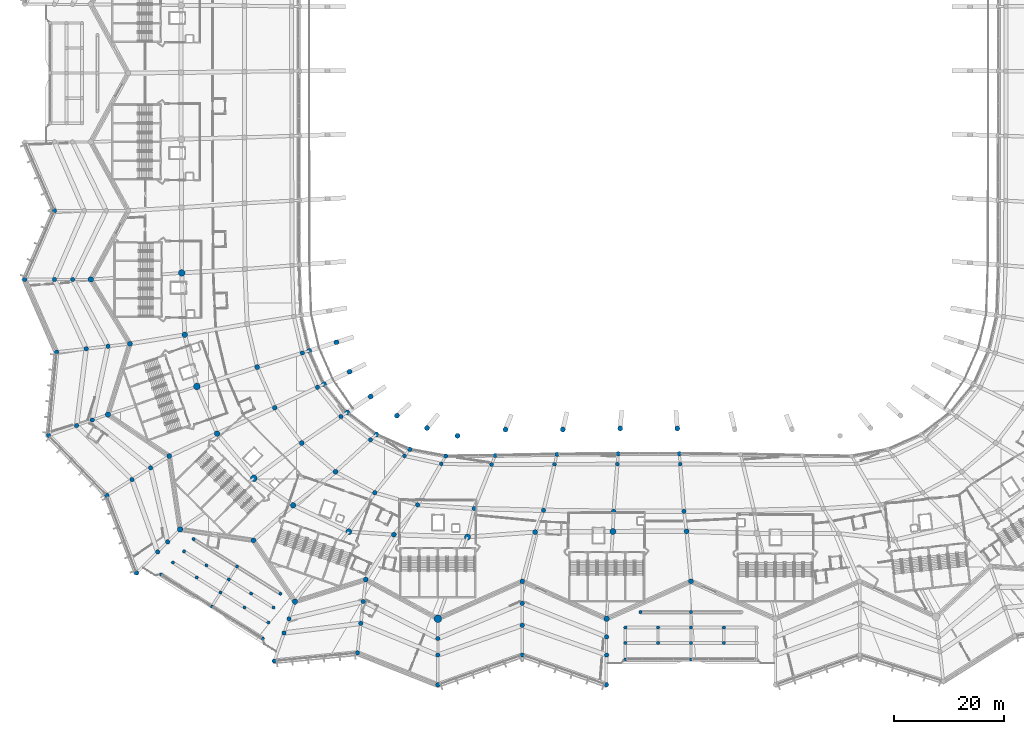
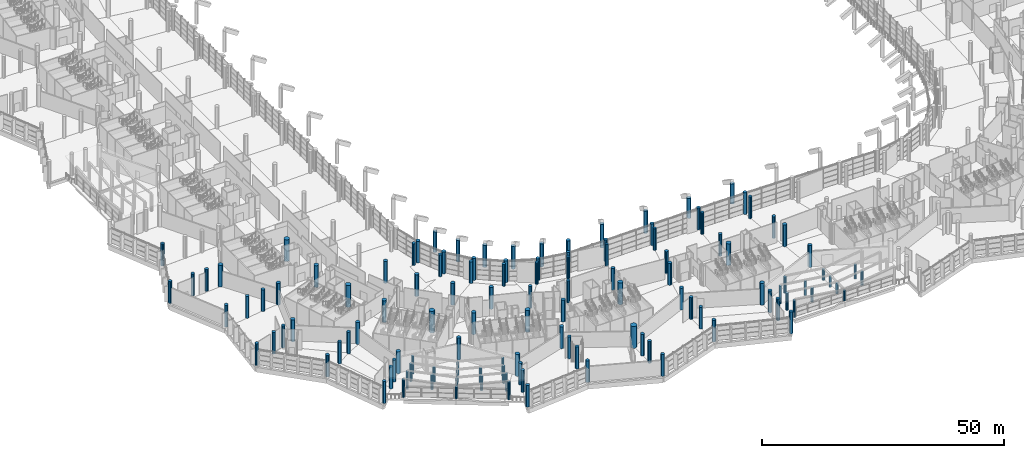
# One storey, part 1 of 271: 123 columns.
"""IFC4 building model written with IfcOpenShell, lengths in metres."""

import ifcopenshell
import ifcopenshell.guid

model = None  # the IFC model being written
_history = None  # IfcOwnerHistory: only IFC2X3 demands one
_inside = {}  # id of a spatial element -> (the spatial element, [elements in it])
_under = {}  # id of a project, library or spatial element -> (it, [spatial elements below it])
_declared = {}  # id of a project -> (the project, [libraries it declares])
_typed = {}  # id of a type object -> (the type object, [elements of that type])
_made_of = {}  # id of a material, layer set ... -> (it, [elements and type objects made of it])


def new_model(schema):
    """Start an empty IFC model of exactly this schema.

    Asked for "IFC4X3", IfcOpenShell would pick the latest addendum, in which some entities
    have other attributes; the version numbers below select the first issue.
    IFC2X3 requires an IfcOwnerHistory on every rooted entity: one is made here for all.
    """
    global model, _history
    if schema == "IFC4X3":
        model = ifcopenshell.file(schema_version=(4, 3, 0, 0))
    else:
        model = ifcopenshell.file(schema=schema)
    _inside.clear()
    _under.clear()
    _declared.clear()
    _typed.clear()
    _made_of.clear()
    _history = None
    if model.schema == "IFC2X3":
        org = make("IfcOrganization", Name="unknown")
        user = make(
            "IfcPersonAndOrganization",
            ThePerson=make("IfcPerson", FamilyName="unknown"),
            TheOrganization=org,
        )
        app = make(
            "IfcApplication",
            ApplicationDeveloper=org,
            Version="unknown",
            ApplicationFullName="unknown",
            ApplicationIdentifier="unknown",
        )
        _history = make(
            "IfcOwnerHistory",
            OwningUser=user,
            OwningApplication=app,
            ChangeAction="ADDED",
            CreationDate=0,
        )
    return model


def make(cls, **values):
    """One entity of the class cls with the attributes given. An attribute that is None is left unset."""
    return model.create_entity(
        cls, **{name: value for name, value in values.items() if value is not None}
    )


def rooted(cls, **values):
    """An entity with a GlobalId (a new one), such as an element, a storey or a relation."""
    return make(cls, GlobalId=ifcopenshell.guid.new(), OwnerHistory=_history, **values)


def si_unit(unit_type, name, prefix=None):
    """IfcSIUnit, for example si_unit("LENGTHUNIT", "METRE", prefix="MILLI")."""
    return make("IfcSIUnit", UnitType=unit_type, Prefix=prefix, Name=name)


def assignment(units):
    """IfcUnitAssignment: the units of a project."""
    return None if units is None else make("IfcUnitAssignment", Units=units)


def point(xyz):
    """IfcCartesianPoint."""
    return None if xyz is None else make("IfcCartesianPoint", Coordinates=xyz)


def direction(xyz):
    """IfcDirection."""
    return None if xyz is None else make("IfcDirection", DirectionRatios=xyz)


def frame(location, z_axis=None, x_axis=None):
    """IfcAxis2Placement3D, a coordinate frame: its origin and axes. An axis left out is left unset."""
    return make(
        "IfcAxis2Placement3D",
        Location=point(location),
        Axis=direction(z_axis),
        RefDirection=direction(x_axis),
    )


def frame_2d(location, x_axis=None):
    """IfcAxis2Placement2D, a coordinate frame in the plane: its origin and x axis."""
    return make(
        "IfcAxis2Placement2D", Location=point(location), RefDirection=direction(x_axis)
    )


def origin():
    """The frame at (0, 0, 0) with its axes left unset."""
    return frame((0.0, 0.0, 0.0))


def origin_2d():
    """The frame at (0, 0) in the plane with its x axis left unset."""
    return frame_2d((0.0, 0.0))


def place(relative_to, where):
    """IfcLocalPlacement: puts the frame where relative to a parent placement (None: the world)."""
    return make(
        "IfcLocalPlacement", PlacementRelTo=relative_to, RelativePlacement=where
    )


def context(
    kind, dimensions, precision=None, world=None, true_north=None, identifier=None
):
    """IfcGeometricRepresentationContext, for example the 3D "Model" context."""
    return make(
        "IfcGeometricRepresentationContext",
        ContextIdentifier=identifier,
        ContextType=kind,
        CoordinateSpaceDimension=dimensions,
        Precision=precision,
        WorldCoordinateSystem=world,
        TrueNorth=true_north,
    )


def subcontext(parent, identifier, kind, view, scale=None):
    """IfcGeometricRepresentationSubContext, for example "Body" below "Model"."""
    return make(
        "IfcGeometricRepresentationSubContext",
        ContextIdentifier=identifier,
        ContextType=kind,
        ParentContext=parent,
        TargetScale=scale,
        TargetView=view,
    )


def project(units=None, contexts=None):
    """IfcProject with its units and contexts."""
    return rooted(
        "IfcProject",
        Name="project",
        RepresentationContexts=contexts,
        UnitsInContext=assignment(units),
    )


def spatial(cls, under=None, at=None, **own):
    """A site, building, storey or space (cls), placed at a placement, below another one or the project."""
    s = rooted(cls, ObjectPlacement=at, **own)
    if under is not None:
        _under.setdefault(under.id(), (under, []))[1].append(s)
    return s


def profile(cls, at=None, kind="AREA", **sizes):
    """A parametric profile (cls). Its sizes go by their IFC names, for example OverallWidth=200.0."""
    return make(cls, ProfileType=kind, Position=at, **sizes)


def circle(**sizes):
    """IfcCircleProfileDef."""
    return profile("IfcCircleProfileDef", **sizes)


def extrude(swept, where, along, depth):
    """IfcExtrudedAreaSolid: the profile swept, set in the frame where, extruded along a direction by depth."""
    return make(
        "IfcExtrudedAreaSolid",
        SweptArea=swept,
        Position=where,
        ExtrudedDirection=direction(along),
        Depth=depth,
    )


def shape(context_of_items, identifier, shape_type, items):
    """IfcShapeRepresentation: the items that make up one representation, for example the "Body"."""
    return make(
        "IfcShapeRepresentation",
        ContextOfItems=context_of_items,
        RepresentationIdentifier=identifier,
        RepresentationType=shape_type,
        Items=items,
    )


def material(Name=None, Category=None):
    """IfcMaterial."""
    return make("IfcMaterial", Name=Name, Category=Category)


def material_profile(
    of_material, cross_section, Name=None, Category=None, Priority=None
):
    """IfcMaterialProfile: a cross section and its material."""
    return make(
        "IfcMaterialProfile",
        Name=Name,
        Material=of_material,
        Profile=cross_section,
        Priority=Priority,
        Category=Category,
    )


def profile_set(profiles, Name=None, composite=None):
    """IfcMaterialProfileSet."""
    return make(
        "IfcMaterialProfileSet",
        Name=Name,
        MaterialProfiles=profiles,
        CompositeProfile=composite,
    )


def made_of(thing, what):
    """Note that an element or type object is made of a material, layer set ...; save() writes the relation."""
    if what is not None:
        _made_of.setdefault(what.id(), (what, []))[1].append(thing)
    return thing


def type_object(cls, material=None, **own):
    """A type object (cls), such as IfcWallType, which elements share."""
    return made_of(rooted(cls, **own), material)


def element(
    cls,
    number,
    at=None,
    inside=None,
    cuts=None,
    type_object=None,
    material=None,
    context=None,
    identifier="Body",
    shape_type=None,
    held_by="IfcProductDefinitionShape",
    body=None,
    shapes=None,
    **own,
):
    """One element of the class cls, such as IfcWall. Its Tag is "e" and its number.

    at: its placement. inside: the storey or other place that contains it. cuts: it is an
    opening in that element (IfcRelVoidsElement). A single representation is given by context,
    identifier, shape_type and body (its items); several are given by shapes. held_by: the class
    of the entity that holds the representations. save() writes the other relations.
    """
    e = rooted(cls, Tag="e%d" % number, ObjectPlacement=at, **own)
    if body is not None:
        shapes = [shape(context, identifier, shape_type, body)]
    if shapes is not None:
        e.Representation = make(held_by, Representations=shapes)
    if inside is not None:
        _inside.setdefault(inside.id(), (inside, []))[1].append(e)
    if cuts is not None:
        rooted(
            "IfcRelVoidsElement", RelatingBuildingElement=cuts, RelatedOpeningElement=e
        )
    if type_object is not None:
        _typed.setdefault(type_object.id(), (type_object, []))[1].append(e)
    return made_of(e, material)


def aggregate(whole, parts):
    """IfcRelAggregates: a whole, such as a stair, and the parts it consists of."""
    return rooted("IfcRelAggregates", RelatingObject=whole, RelatedObjects=parts)


def save(model, path):
    """Write the relations noted so far, then the file.

    IfcRelAggregates (storeys below a building ...), IfcRelContainedInSpatialStructure (elements
    in a storey), IfcRelDefinesByType, IfcRelAssociatesMaterial and IfcRelDeclares: one each for
    every whole, place, type object, material and project.
    """
    for whole, parts in _under.values():
        aggregate(whole, parts)
    for where, things in _inside.values():
        rooted(
            "IfcRelContainedInSpatialStructure",
            RelatedElements=things,
            RelatingStructure=where,
        )
    for kind, things in _typed.values():
        rooted("IfcRelDefinesByType", RelatedObjects=things, RelatingType=kind)
    for what, things in _made_of.values():
        rooted("IfcRelAssociatesMaterial", RelatedObjects=things, RelatingMaterial=what)
    for by, libraries in _declared.values():
        rooted("IfcRelDeclares", RelatingContext=by, RelatedDefinitions=libraries)
    model.write(path)


model = new_model("IFC4")

# Units and contexts
model_context = context("Model", 3, precision=1e-05, world=origin(), true_north=direction((0.0, 1.0)))
body_context = subcontext(model_context, "Body", "Model", "MODEL_VIEW")
ifc_project = project(units=[si_unit("LENGTHUNIT", "METRE"), si_unit("AREAUNIT", "SQUARE_METRE"), si_unit("VOLUMEUNIT", "CUBIC_METRE"), si_unit("PLANEANGLEUNIT", "RADIAN"), si_unit("MASSUNIT", "GRAM", prefix="KILO")], contexts=[model_context])

# Site, building, storey
site_placement = place(None, origin())
site = spatial("IfcSite", under=ifc_project, at=site_placement, CompositionType="ELEMENT")
building_placement = place(site_placement, origin())
building = spatial("IfcBuilding", under=site, at=building_placement, Name="Meseta Stadium", CompositionType="ELEMENT")
storey_placement = place(building_placement, frame((0.0, 0.0, 6.5)))
storey = spatial("IfcBuildingStorey", under=building, at=storey_placement, Name="L01", CompositionType="ELEMENT", Elevation=6.5)

# Columns
ifc_material_1 = material(Name="Concrete C40/50", Category="concrete")
ifc_material_profile_1 = material_profile(ifc_material_1, circle(Radius=0.300048828125, at=origin_2d()), Name="RC D600")
ifc_profile_set_1 = profile_set([ifc_material_profile_1], Name="Concrete C40/50")
column_type_1 = type_object("IfcColumnType", Name="Gate column D600", PredefinedType="COLUMN", material=ifc_profile_set_1)
column_1_placement = place(storey_placement, frame((-82.719482421875, -90.93896484375, 0.0), z_axis=(0.0, 0.0, 1.0), x_axis=(1.0, 0.0, 0.0)))
element("IfcColumn", 1, at=column_1_placement, inside=storey, type_object=column_type_1, Name="Gate 6 column L01", PredefinedType="COLUMN", context=body_context, shape_type="SweptSolid", body=[
    extrude(circle(Radius=0.300048828125, at=origin_2d()), origin(), (0.0, 0.0, 1.0), 4.409912109375),
])
column_2_placement = place(storey_placement, frame((-74.836181640625, -95.892578125, 0.0), z_axis=(0.0, 0.0, 1.0), x_axis=(1.0, 0.0, 0.0)))
element("IfcColumn", 2, at=column_2_placement, inside=storey, type_object=column_type_1, Name="Gate 6 column L01", PredefinedType="COLUMN", context=body_context, shape_type="SweptSolid", body=[
    extrude(circle(Radius=0.300048828125, at=origin_2d()), origin(), (0.0, 0.0, 1.0), 3.106689453125),
])
column_3_placement = place(storey_placement, frame((-66.952880859375, -100.845947265625, 0.0), z_axis=(0.0, 0.0, 1.0), x_axis=(1.0, 0.0, 0.0)))
element("IfcColumn", 3, at=column_3_placement, inside=storey, type_object=column_type_1, Name="Gate 6 column L01", PredefinedType="COLUMN", context=body_context, shape_type="SweptSolid", body=[
    extrude(circle(Radius=0.300048828125, at=origin_2d()), origin(), (0.0, 0.0, 1.0), 4.409912109375),
])
column_4_placement = place(storey_placement, frame((-84.462646484375, -93.150390625, 0.0), z_axis=(0.0, 0.0, 1.0), x_axis=(1.0, 0.0, 0.0)))
element("IfcColumn", 4, at=column_4_placement, inside=storey, type_object=column_type_1, Name="Gate 6 column L01", PredefinedType="COLUMN", context=body_context, shape_type="SweptSolid", body=[
    extrude(circle(Radius=0.300048828125, at=origin_2d()), origin(), (0.0, 0.0, 1.0), 4.39599609375),
])
column_5_placement = place(storey_placement, frame((-80.394287109375, -95.706787109375, 0.0), z_axis=(0.0, 0.0, 1.0), x_axis=(1.0, 0.0, 0.0)))
element("IfcColumn", 5, at=column_5_placement, inside=storey, type_object=column_type_1, Name="Gate 6 column L01", PredefinedType="COLUMN", context=body_context, shape_type="SweptSolid", body=[
    extrude(circle(Radius=0.300048828125, at=origin_2d()), origin(), (0.0, 0.0, 1.0), 3.723388671875),
])
column_6_placement = place(storey_placement, frame((-76.32568359375, -98.26318359375, 0.0), z_axis=(0.0, 0.0, 1.0), x_axis=(1.0, 0.0, 0.0)))
element("IfcColumn", 6, at=column_6_placement, inside=storey, type_object=column_type_1, Name="Gate 6 column L01", PredefinedType="COLUMN", context=body_context, shape_type="SweptSolid", body=[
    extrude(circle(Radius=0.300048828125, at=origin_2d()), origin(), (0.0, 0.0, 1.0), 3.050537109375),
])
column_7_placement = place(storey_placement, frame((-72.25732421875, -100.819580078125, 0.0), z_axis=(0.0, 0.0, 1.0), x_axis=(1.0, 0.0, 0.0)))
element("IfcColumn", 7, at=column_7_placement, inside=storey, type_object=column_type_1, Name="Gate 6 column L01", PredefinedType="COLUMN", context=body_context, shape_type="SweptSolid", body=[
    extrude(circle(Radius=0.300048828125, at=origin_2d()), origin(), (0.0, 0.0, 1.0), 3.723388671875),
])
column_8_placement = place(storey_placement, frame((-68.18896484375, -103.3759765625, 0.0), z_axis=(0.0, 0.0, 1.0), x_axis=(1.0, 0.0, 0.0)))
element("IfcColumn", 8, at=column_8_placement, inside=storey, type_object=column_type_1, Name="Gate 6 column L01", PredefinedType="COLUMN", context=body_context, shape_type="SweptSolid", body=[
    extrude(circle(Radius=0.300048828125, at=origin_2d()), origin(), (0.0, 0.0, 1.0), 4.39599609375),
])
column_9_placement = place(storey_placement, frame((-86.49365234375, -95.181396484375, 0.0), z_axis=(0.0, 0.0, 1.0), x_axis=(1.0, 0.0, 0.0)))
element("IfcColumn", 9, at=column_9_placement, inside=storey, type_object=column_type_1, Name="Gate 6 column L01", PredefinedType="COLUMN", context=body_context, shape_type="SweptSolid", body=[
    extrude(circle(Radius=0.300048828125, at=origin_2d()), origin(), (0.0, 0.0, 1.0), 4.429443359375),
])
column_10_placement = place(storey_placement, frame((-82.154541015625, -97.90771484375, 0.0), z_axis=(0.0, 0.0, 1.0), x_axis=(1.0, 0.0, 0.0)))
element("IfcColumn", 10, at=column_10_placement, inside=storey, type_object=column_type_1, Name="Gate 6 column L01", PredefinedType="COLUMN", context=body_context, shape_type="SweptSolid", body=[
    extrude(circle(Radius=0.300048828125, at=origin_2d()), origin(), (0.0, 0.0, 1.0), 3.7119140625),
])
column_11_placement = place(storey_placement, frame((-77.8154296875, -100.634033203125, 0.0), z_axis=(0.0, 0.0, 1.0), x_axis=(1.0, 0.0, 0.0)))
element("IfcColumn", 11, at=column_11_placement, inside=storey, type_object=column_type_1, Name="Gate 6 column L01", PredefinedType="COLUMN", context=body_context, shape_type="SweptSolid", body=[
    extrude(circle(Radius=0.300048828125, at=origin_2d()), origin(), (0.0, 0.0, 1.0), 2.99462890625),
])
column_12_placement = place(storey_placement, frame((-73.4765625, -103.360595703125, 0.0), z_axis=(0.0, 0.0, 1.0), x_axis=(1.0, 0.0, 0.0)))
element("IfcColumn", 12, at=column_12_placement, inside=storey, type_object=column_type_1, Name="Gate 6 column L01", PredefinedType="COLUMN", context=body_context, shape_type="SweptSolid", body=[
    extrude(circle(Radius=0.300048828125, at=origin_2d()), origin(), (0.0, 0.0, 1.0), 3.7119140625),
])
column_13_placement = place(storey_placement, frame((-69.137451171875, -106.0869140625, 0.0), z_axis=(0.0, 0.0, 1.0), x_axis=(1.0, 0.0, 0.0)))
element("IfcColumn", 13, at=column_13_placement, inside=storey, type_object=column_type_1, Name="Gate 6 column L01", PredefinedType="COLUMN", context=body_context, shape_type="SweptSolid", body=[
    extrude(circle(Radius=0.300048828125, at=origin_2d()), origin(), (0.0, 0.0, 1.0), 4.429443359375),
])
column_14_placement = place(storey_placement, frame((-88.66943359375, -97.357177734375, 0.0), z_axis=(0.0, 0.0, 1.0), x_axis=(1.0, 0.0, 0.0)))
element("IfcColumn", 14, at=column_14_placement, inside=storey, type_object=column_type_1, Name="Gate 6 column L01", PredefinedType="COLUMN", context=body_context, shape_type="SweptSolid", body=[
    extrude(circle(Radius=0.300048828125, at=origin_2d()), origin(), (0.0, 0.0, 1.0), 4.46533203125),
])
column_15_placement = place(storey_placement, frame((-79.41162109375, -103.17431640625, 0.0), z_axis=(0.0, 0.0, 1.0), x_axis=(1.0, 0.0, 0.0)))
element("IfcColumn", 15, at=column_15_placement, inside=storey, type_object=column_type_1, Name="Gate 6 column L01", PredefinedType="COLUMN", context=body_context, shape_type="SweptSolid", body=[
    extrude(circle(Radius=0.300048828125, at=origin_2d()), origin(), (0.0, 0.0, 1.0), 2.9345703125),
])
column_16_placement = place(storey_placement, frame((-70.15380859375, -108.991455078125, 0.0), z_axis=(0.0, 0.0, 1.0), x_axis=(1.0, 0.0, 0.0)))
element("IfcColumn", 16, at=column_16_placement, inside=storey, type_object=column_type_1, Name="Gate 6 column L01", PredefinedType="COLUMN", context=body_context, shape_type="SweptSolid", body=[
    extrude(circle(Radius=0.300048828125, at=origin_2d()), origin(), (0.0, 0.0, 1.0), 4.46533203125),
])
column_17_placement = place(storey_placement, frame((-1.516845703125, -104.199951171875, 0.0), z_axis=(0.0, 0.0, 1.0), x_axis=(1.0, 0.0, 0.0)))
element("IfcColumn", 17, at=column_17_placement, inside=storey, type_object=column_type_1, Name="Gate 7 column L01", PredefinedType="COLUMN", context=body_context, shape_type="SweptSolid", body=[
    extrude(circle(Radius=0.300048828125, at=origin_2d()), origin(), (0.0, 0.0, 1.0), 4.06689453125),
])
column_18_placement = place(storey_placement, frame((7.666748046875, -104.199951171875, 0.0), z_axis=(0.0, 0.0, 1.0), x_axis=(1.0, 0.0, 0.0)))
element("IfcColumn", 18, at=column_18_placement, inside=storey, type_object=column_type_1, Name="Gate 7 column L01", PredefinedType="COLUMN", context=body_context, shape_type="SweptSolid", body=[
    extrude(circle(Radius=0.300048828125, at=origin_2d()), origin(), (0.0, 0.0, 1.0), 2.78125),
])
column_19_placement = place(storey_placement, frame((-4.2666015625, -107.0, 0.0), z_axis=(0.0, 0.0, 1.0), x_axis=(1.0, 0.0, 0.0)))
element("IfcColumn", 19, at=column_19_placement, inside=storey, type_object=column_type_1, Name="Gate 7 column L01", PredefinedType="COLUMN", context=body_context, shape_type="SweptSolid", body=[
    extrude(circle(Radius=0.300048828125, at=origin_2d()), origin(), (0.0, 0.0, 1.0), 4.39599609375),
])
column_20_placement = place(storey_placement, frame((1.699951171875, -107.0, 0.0), z_axis=(0.0, 0.0, 1.0), x_axis=(1.0, 0.0, 0.0)))
element("IfcColumn", 20, at=column_20_placement, inside=storey, type_object=column_type_1, Name="Gate 7 column L01", PredefinedType="COLUMN", context=body_context, shape_type="SweptSolid", body=[
    extrude(circle(Radius=0.300048828125, at=origin_2d()), origin(), (0.0, 0.0, 1.0), 3.560791015625),
])
column_21_placement = place(storey_placement, frame((7.666748046875, -107.0, 0.0), z_axis=(0.0, 0.0, 1.0), x_axis=(1.0, 0.0, 0.0)))
element("IfcColumn", 21, at=column_21_placement, inside=storey, type_object=column_type_1, Name="Gate 7 column L01", PredefinedType="COLUMN", context=body_context, shape_type="SweptSolid", body=[
    extrude(circle(Radius=0.300048828125, at=origin_2d()), origin(), (0.0, 0.0, 1.0), 2.725341796875),
])
column_22_placement = place(storey_placement, frame((13.63330078125, -107.0, 0.0), z_axis=(0.0, 0.0, 1.0), x_axis=(1.0, 0.0, 0.0)))
element("IfcColumn", 22, at=column_22_placement, inside=storey, type_object=column_type_1, Name="Gate 7 column L01", PredefinedType="COLUMN", context=body_context, shape_type="SweptSolid", body=[
    extrude(circle(Radius=0.300048828125, at=origin_2d()), origin(), (0.0, 0.0, 1.0), 3.560791015625),
])
column_23_placement = place(storey_placement, frame((-4.2666015625, -109.800048828125, 0.0), z_axis=(0.0, 0.0, 1.0), x_axis=(1.0, 0.0, 0.0)))
element("IfcColumn", 23, at=column_23_placement, inside=storey, type_object=column_type_1, Name="Gate 7 column L01", PredefinedType="COLUMN", context=body_context, shape_type="SweptSolid", body=[
    extrude(circle(Radius=0.300048828125, at=origin_2d()), origin(), (0.0, 0.0, 1.0), 4.340087890625),
])
column_24_placement = place(storey_placement, frame((1.699951171875, -109.800048828125, 0.0), z_axis=(0.0, 0.0, 1.0), x_axis=(1.0, 0.0, 0.0)))
element("IfcColumn", 24, at=column_24_placement, inside=storey, type_object=column_type_1, Name="Gate 7 column L01", PredefinedType="COLUMN", context=body_context, shape_type="SweptSolid", body=[
    extrude(circle(Radius=0.300048828125, at=origin_2d()), origin(), (0.0, 0.0, 1.0), 3.504638671875),
])
column_25_placement = place(storey_placement, frame((7.666748046875, -109.800048828125, 0.0), z_axis=(0.0, 0.0, 1.0), x_axis=(1.0, 0.0, 0.0)))
element("IfcColumn", 25, at=column_25_placement, inside=storey, type_object=column_type_1, Name="Gate 7 column L01", PredefinedType="COLUMN", context=body_context, shape_type="SweptSolid", body=[
    extrude(circle(Radius=0.300048828125, at=origin_2d()), origin(), (0.0, 0.0, 1.0), 2.669189453125),
])
column_26_placement = place(storey_placement, frame((13.63330078125, -109.800048828125, 0.0), z_axis=(0.0, 0.0, 1.0), x_axis=(1.0, 0.0, 0.0)))
element("IfcColumn", 26, at=column_26_placement, inside=storey, type_object=column_type_1, Name="Gate 7 column L01", PredefinedType="COLUMN", context=body_context, shape_type="SweptSolid", body=[
    extrude(circle(Radius=0.300048828125, at=origin_2d()), origin(), (0.0, 0.0, 1.0), 3.504638671875),
])
column_27_placement = place(storey_placement, frame((-4.2666015625, -112.800048828125, 0.0), z_axis=(0.0, 0.0, 1.0), x_axis=(1.0, 0.0, 0.0)))
element("IfcColumn", 27, at=column_27_placement, inside=storey, type_object=column_type_1, Name="Gate 7 column L01", PredefinedType="COLUMN", context=body_context, shape_type="SweptSolid", body=[
    extrude(circle(Radius=0.300048828125, at=origin_2d()), origin(), (0.0, 0.0, 1.0), 4.280029296875),
])
column_28_placement = place(storey_placement, frame((7.666748046875, -112.800048828125, 0.0), z_axis=(0.0, 0.0, 1.0), x_axis=(1.0, 0.0, 0.0)))
element("IfcColumn", 28, at=column_28_placement, inside=storey, type_object=column_type_1, Name="Gate 7 column L01", PredefinedType="COLUMN", context=body_context, shape_type="SweptSolid", body=[
    extrude(circle(Radius=0.300048828125, at=origin_2d()), origin(), (0.0, 0.0, 1.0), 2.609375),
])
ifc_material_2 = material(Name="Concrete C40/50", Category="concrete")
ifc_material_profile_2 = material_profile(ifc_material_2, circle(Radius=0.5, at=origin_2d()), Name="RC D1000")
ifc_profile_set_2 = profile_set([ifc_material_profile_2], Name="Concrete C40/50")
column_type_2 = type_object("IfcColumnType", Name="RC column D1000", PredefinedType="COLUMN", material=ifc_profile_set_2)
for number, where, z_axis, x_axis, name in (
    (29, (-101.39990234375, -43.75, 0.0), (0.0, 0.0, 1.0), (1.0, 0.0, 0.0), "Column C10 L01 frame 36 line R"),
    (30, (-84.3251953125, -53.801513671875, 0.0), (0.0, 0.0, 1.0), (1.0, 0.0, 0.0), "Column C10 L01 frame 37 line P"),
    (31, (-98.291015625, -68.29736328125, 0.0), (0.0, 0.0, 1.0), (1.0, 0.0, 0.0), "Column C10 L01 frame 38 line R"),
    (32, (-78.4453125, -71.756103515625, 0.0), (0.0, 0.0, 1.0), (1.0, 0.0, 0.0), "Column C10 L01 frame 39 line P"),
    (33, (-85.173828125, -89.173828125, 0.0), (0.0, 0.0, 1.0), (1.0, 0.0, 0.0), "Column C10 L01 frame 40 line R"),
    (34, (-64.6220703125, -84.79248046875, 0.0), (0.0, 0.0, 1.0), (1.0, 0.0, 0.0), "Column C10 L01 frame 41 line P"),
    (35, (-64.29736328125, -102.291015625, 0.0), (0.0, 0.0, 1.0), (1.0, 0.0, 0.0), "Column C10 L01 frame 42 line R"),
    (36, (-7.666748046875, -105.39990234375, 0.0), (0.0, 0.0, 1.0), (1.0, 0.0, 0.0), "Column C10 L01 frame 46 line R"),
):
    element("IfcColumn", number, at=place(storey_placement, frame(where, z_axis=z_axis, x_axis=x_axis)), inside=storey, type_object=column_type_2, Name=name, PredefinedType="COLUMN", context=body_context, shape_type="SweptSolid", body=[
        extrude(circle(Radius=0.5, at=origin_2d()), origin(), (0.0, 0.0, 1.0), 5.5),
    ])
ifc_material_3 = material(Name="Concrete C40/50", Category="concrete")
ifc_material_profile_3 = material_profile(ifc_material_3, circle(Radius=0.550048828125, at=origin_2d()), Name="RC D1100")
ifc_profile_set_3 = profile_set([ifc_material_profile_3], Name="Concrete C40/50")
column_type_3 = type_object("IfcColumnType", Name="RC column D1100", PredefinedType="COLUMN", material=ifc_profile_set_3)
for number, where, z_axis, x_axis, name in (
    (37, (-54.523193359375, -89.579345703125, 0.0), (0.0, 0.0, 1.0), (1.0, 0.0, 0.0), "Column C11 L01 frame 42 line P"),
    (38, (-32.944091796875, -90.551025390625, 0.0), (0.0, 0.0, 1.0), (1.0, 0.0, 0.0), "Column C11 L01 frame 44 line P"),
    (39, (-6.51708984375, -89.54638671875, 0.0), (0.0, 0.0, 1.0), (1.0, 0.0, 0.0), "Column C11 L01 frame 46 line P"),
):
    element("IfcColumn", number, at=place(storey_placement, frame(where, z_axis=z_axis, x_axis=x_axis)), inside=storey, type_object=column_type_3, Name=name, PredefinedType="COLUMN", context=body_context, shape_type="SweptSolid", body=[
        extrude(circle(Radius=0.550048828125, at=origin_2d()), origin(), (0.0, 0.0, 1.0), 5.5),
    ])
ifc_material_4 = material(Name="Concrete C40/50", Category="concrete")
ifc_material_profile_4 = material_profile(ifc_material_4, circle(Radius=0.60009765625, at=origin_2d()), Name="RC D1200")
ifc_profile_set_4 = profile_set([ifc_material_profile_4], Name="Concrete C40/50")
column_type_4 = type_object("IfcColumnType", Name="RC column D1200", PredefinedType="COLUMN", material=ifc_profile_set_4)
for number, where, z_axis, x_axis, name in (
    (40, (-84.884033203125, -42.5615234375, 0.0), (0.0, 0.0, 1.0), (1.0, 0.0, 0.0), "Column C12 L01 frame 36 line P"),
    (41, (-82.119873046875, -63.191162109375, 0.0), (0.0, 0.0, 1.0), (1.0, 0.0, 0.0), "Column C12 L01 frame 38 line P"),
    (42, (-71.775390625, -79.888916015625, 0.0), (0.0, 0.0, 1.0), (1.0, 0.0, 0.0), "Column C12 L01 frame 40 line P"),
):
    element("IfcColumn", number, at=place(storey_placement, frame(where, z_axis=z_axis, x_axis=x_axis)), inside=storey, type_object=column_type_4, Name=name, PredefinedType="COLUMN", context=body_context, shape_type="SweptSolid", body=[
        extrude(circle(Radius=0.60009765625, at=origin_2d()), origin(), (0.0, 0.0, 1.0), 5.5),
    ])
ifc_material_5 = material(Name="Concrete C40/50", Category="concrete")
ifc_material_profile_5 = material_profile(ifc_material_5, circle(Radius=0.699951171875, at=origin_2d()), Name="RC D1400")
ifc_profile_set_5 = profile_set([ifc_material_profile_5], Name="Concrete C40/50")
column_type_5 = type_object("IfcColumnType", Name="RC column D1400", PredefinedType="COLUMN", material=ifc_profile_set_5)
column_29_placement = place(storey_placement, frame((-38.333251953125, -105.39990234375, 0.0), z_axis=(0.0, 0.0, 1.0), x_axis=(1.0, 0.0, 0.0)))
element("IfcColumn", 43, at=column_29_placement, inside=storey, type_object=column_type_5, Name="Column C14 L01 frame 44 line R", PredefinedType="COLUMN", context=body_context, shape_type="SweptSolid", body=[
    extrude(circle(Radius=0.699951171875, at=origin_2d()), origin(), (0.0, 0.0, 1.0), 5.5),
])
ifc_material_6 = material(Name="Concrete C40/50", Category="concrete")
ifc_material_profile_6 = material_profile(ifc_material_6, circle(Radius=0.35009765625, at=origin_2d()), Name="RC D700")
ifc_profile_set_6 = profile_set([ifc_material_profile_6], Name="Concrete C40/50")
column_type_6 = type_object("IfcColumnType", Name="RC column D700", PredefinedType="COLUMN", material=ifc_profile_set_6)
for number, where, z_axis, x_axis, name in (
    (44, (-44.39013671875, -75.806396484375, 0.0), (0.0, 0.0, 1.0), (1.0, 0.0, 0.0), "Column C7 L01 frame 42 line D"),
    (45, (-37.711669921875, -77.26171875, 0.0), (0.0, 0.0, 1.0), (1.0, 0.0, 0.0), "Column C7 L01 frame 43 line D"),
    (46, (-28.564697265625, -77.38330078125, 0.0), (0.0, 0.0, 1.0), (1.0, 0.0, 0.0), "Column C7 L01 frame 44 line D"),
    (47, (-17.126708984375, -77.33203125, 0.0), (0.0, 0.0, 1.0), (1.0, 0.0, 0.0), "Column C7 L01 frame 45 line D"),
    (48, (-5.70654296875, -77.3037109375, 0.0), (0.0, 0.0, 1.0), (1.0, 0.0, 0.0), "Column C7 L01 frame 46 line D"),
    (49, (5.70654296875, -77.3037109375, 0.0), (0.0, 0.0, 1.0), (1.0, 0.0, 0.0), "Column C7 L01 frame 47 line D"),
):
    element("IfcColumn", number, at=place(storey_placement, frame(where, z_axis=z_axis, x_axis=x_axis)), inside=storey, type_object=column_type_6, Name=name, PredefinedType="COLUMN", context=body_context, shape_type="SweptSolid", body=[
        extrude(circle(Radius=0.35009765625, at=origin_2d()), origin(), (0.0, 0.0, 1.0), 5.5),
    ])
ifc_material_7 = material(Name="Concrete C40/50", Category="concrete")
ifc_material_profile_7 = material_profile(ifc_material_7, circle(Radius=0.39990234375, at=origin_2d()), Name="RC D800")
ifc_profile_set_7 = profile_set([ifc_material_profile_7], Name="Concrete C40/50")
column_type_7 = type_object("IfcColumnType", Name="RC column D800", PredefinedType="COLUMN", material=ifc_profile_set_7)
for number, where, z_axis, x_axis, name in (
    (50, (-62.963623046875, -57.1044921875, 0.0), (0.0, 0.0, 1.0), (1.0, 0.0, 0.0), "Column C8 L01 frame 38 line D"),
    (51, (-60.22216796875, -63.33056640625, 0.0), (0.0, 0.0, 1.0), (1.0, 0.0, 0.0), "Column C8 L01 frame 39 line D"),
    (52, (-55.940185546875, -68.657958984375, 0.0), (0.0, 0.0, 1.0), (1.0, 0.0, 0.0), "Column C8 L01 frame 40 line D"),
    (53, (-50.571533203125, -72.888671875, 0.0), (0.0, 0.0, 1.0), (1.0, 0.0, 0.0), "Column C8 L01 frame 41 line D"),
    (54, (-43.430419921875, -74.617431640625, 0.0), (0.0, 0.0, 1.0), (1.0, 0.0, 0.0), "Column C8 L01 frame 42 line C"),
    (55, (-49.791259765625, -82.498779296875, 0.0), (0.0, 0.0, 1.0), (1.0, 0.0, 0.0), "Column C8 L01 frame 42 line E"),
    (56, (-36.8857421875, -75.8330078125, 0.0), (0.0, 0.0, 1.0), (1.0, 0.0, 0.0), "Column C8 L01 frame 43 line C"),
    (57, (-42.015625, -84.707275390625, 0.0), (0.0, 0.0, 1.0), (1.0, 0.0, 0.0), "Column C8 L01 frame 43 line E"),
    (58, (-27.910888671875, -75.735595703125, 0.0), (0.0, 0.0, 1.0), (1.0, 0.0, 0.0), "Column C8 L01 frame 44 line C"),
    (59, (-31.73681640625, -85.376708984375, 0.0), (0.0, 0.0, 1.0), (1.0, 0.0, 0.0), "Column C8 L01 frame 44 line E"),
    (60, (-16.697509765625, -75.529541015625, 0.0), (0.0, 0.0, 1.0), (1.0, 0.0, 0.0), "Column C8 L01 frame 45 line C"),
    (61, (-19.11865234375, -85.6982421875, 0.0), (0.0, 0.0, 1.0), (1.0, 0.0, 0.0), "Column C8 L01 frame 45 line E"),
    (62, (-5.556640625, -75.4150390625, 0.0), (0.0, 0.0, 1.0), (1.0, 0.0, 0.0), "Column C8 L01 frame 46 line C"),
    (63, (-6.386962890625, -85.876708984375, 0.0), (0.0, 0.0, 1.0), (1.0, 0.0, 0.0), "Column C8 L01 frame 46 line E"),
    (64, (5.556640625, -75.4150390625, 0.0), (0.0, 0.0, 1.0), (1.0, 0.0, 0.0), "Column C8 L01 frame 47 line C"),
    (65, (6.386962890625, -85.876708984375, 0.0), (0.0, 0.0, 1.0), (1.0, 0.0, 0.0), "Column C8 L01 frame 47 line E"),
    (66, (-108.0, -31.25, 0.0), (0.0, 0.0, 1.0), (1.0, 0.0, 0.0), "Ring column C8 L01 frame 35 line O"),
    (67, (-104.699951171875, -43.75, 0.0), (0.0, 0.0, 1.0), (1.0, 0.0, 0.0), "Ring column C8 L01 frame 36 line M"),
    (68, (-108.0, -43.75, 0.0), (0.0, 0.0, 1.0), (1.0, 0.0, 0.0), "Ring column C8 L01 frame 36 line Q"),
    (69, (-113.39990234375, -43.75, 0.0), (0.0, 0.0, 1.0), (1.0, 0.0, 0.0), "Ring column C8 L01 frame 36 line O"),
    (70, (-98.269287109375, -55.889404296875, 0.0), (0.0, 0.0, 1.0), (1.0, 0.0, 0.0), "Ring column C8 L01 frame 37 line M"),
    (71, (-102.244140625, -56.337158203125, 0.0), (0.0, 0.0, 1.0), (1.0, 0.0, 0.0), "Ring column C8 L01 frame 37 line Q"),
    (72, (-107.610107421875, -56.94189453125, 0.0), (0.0, 0.0, 1.0), (1.0, 0.0, 0.0), "Ring column C8 L01 frame 37 line O"),
    (73, (-101.140380859375, -69.29443359375, 0.0), (0.0, 0.0, 1.0), (1.0, 0.0, 0.0), "Ring column C8 L01 frame 38 line M"),
    (74, (-103.989990234375, -70.29150390625, 0.0), (0.0, 0.0, 1.0), (1.0, 0.0, 0.0), "Ring column C8 L01 frame 38 line Q"),
    (75, (-109.0869140625, -72.0751953125, 0.0), (0.0, 0.0, 1.0), (1.0, 0.0, 0.0), "Ring column C8 L01 frame 38 line O"),
    (76, (-90.53759765625, -77.98486328125, 0.0), (0.0, 0.0, 1.0), (1.0, 0.0, 0.0), "Ring column C8 L01 frame 39 line M"),
    (77, (-93.924560546875, -80.113037109375, 0.0), (0.0, 0.0, 1.0), (1.0, 0.0, 0.0), "Ring column C8 L01 frame 39 line Q"),
    (78, (-98.496826171875, -82.986083984375, 0.0), (0.0, 0.0, 1.0), (1.0, 0.0, 0.0), "Ring column C8 L01 frame 39 line O"),
    (79, (-87.426513671875, -91.426513671875, 0.0), (0.0, 0.0, 1.0), (1.0, 0.0, 0.0), "Ring column C8 L01 frame 40 line M"),
    (80, (-89.2548828125, -93.2548828125, 0.0), (0.0, 0.0, 1.0), (1.0, 0.0, 0.0), "Ring column C8 L01 frame 40 line Q"),
    (81, (-93.0732421875, -97.0732421875, 0.0), (0.0, 0.0, 1.0), (1.0, 0.0, 0.0), "Ring column C8 L01 frame 40 line O"),
    (82, (-65.3935546875, -105.423583984375, 0.0), (0.0, 0.0, 1.0), (1.0, 0.0, 0.0), "Ring column C8 L01 frame 42 line M"),
    (83, (-66.29150390625, -107.989990234375, 0.0), (0.0, 0.0, 1.0), (1.0, 0.0, 0.0), "Ring column C8 L01 frame 42 line Q"),
    (84, (-68.0751953125, -113.0869140625, 0.0), (0.0, 0.0, 1.0), (1.0, 0.0, 0.0), "Ring column C8 L01 frame 42 line O"),
    (85, (-51.889404296875, -102.269287109375, 0.0), (0.0, 0.0, 1.0), (1.0, 0.0, 0.0), "Ring column C8 L01 frame 43 line M"),
    (86, (-52.337158203125, -106.244140625, 0.0), (0.0, 0.0, 1.0), (1.0, 0.0, 0.0), "Ring column C8 L01 frame 43 line Q"),
    (87, (-52.94189453125, -111.610107421875, 0.0), (0.0, 0.0, 1.0), (1.0, 0.0, 0.0), "Ring column C8 L01 frame 43 line O"),
    (88, (-38.333251953125, -109.0, 0.0), (0.0, 0.0, 1.0), (1.0, 0.0, 0.0), "Ring column C8 L01 frame 44 line M"),
    (89, (-38.333251953125, -112.0, 0.0), (0.0, 0.0, 1.0), (1.0, 0.0, 0.0), "Ring column C8 L01 frame 44 line Q"),
    (90, (-38.333251953125, -117.39990234375, 0.0), (0.0, 0.0, 1.0), (1.0, 0.0, 0.0), "Ring column C8 L01 frame 44 line O"),
    (91, (-23.0, -102.60009765625, 0.0), (0.0, 0.0, 1.0), (1.0, 0.0, 0.0), "Ring column C8 L01 frame 45 line M"),
    (92, (-23.0, -106.60009765625, 0.0), (0.0, 0.0, 1.0), (1.0, 0.0, 0.0), "Ring column C8 L01 frame 45 line Q"),
    (93, (-23.0, -112.0, 0.0), (0.0, 0.0, 1.0), (1.0, 0.0, 0.0), "Ring column C8 L01 frame 45 line O"),
    (94, (-7.666748046875, -108.699951171875, 0.0), (0.0, 0.0, 1.0), (1.0, 0.0, 0.0), "Ring column C8 L01 frame 46 line M"),
    (95, (-7.666748046875, -112.0, 0.0), (0.0, 0.0, 1.0), (1.0, 0.0, 0.0), "Ring column C8 L01 frame 46 line Q"),
    (96, (-7.666748046875, -117.39990234375, 0.0), (0.0, 0.0, 1.0), (1.0, 0.0, 0.0), "Ring column C8 L01 frame 46 line O"),
):
    element("IfcColumn", number, at=place(storey_placement, frame(where, z_axis=z_axis, x_axis=x_axis)), inside=storey, type_object=column_type_7, Name=name, PredefinedType="COLUMN", context=body_context, shape_type="SweptSolid", body=[
        extrude(circle(Radius=0.39990234375, at=origin_2d()), origin(), (0.0, 0.0, 1.0), 5.5),
    ])
ifc_material_8 = material(Name="Concrete C40/50", Category="concrete")
ifc_material_profile_8 = material_profile(ifc_material_8, circle(Radius=0.449951171875, at=origin_2d()), Name="RC D900")
ifc_profile_set_8 = profile_set([ifc_material_profile_8], Name="Concrete C40/50")
column_type_8 = type_object("IfcColumnType", Name="RC column D900", PredefinedType="COLUMN", material=ifc_profile_set_8)
column_30_placement = place(storey_placement, frame((-94.29443359375, -55.44140625, 0.0), z_axis=(0.0, 0.0, 1.0), x_axis=(1.0, 0.0, 0.0)))
element("IfcColumn", 97, at=column_30_placement, inside=storey, type_object=column_type_8, Name="Column C9 L01 frame 37 line R", PredefinedType="COLUMN", context=body_context, shape_type="SweptSolid", body=[
    extrude(circle(Radius=0.449951171875, at=origin_2d()), origin(), (0.0, 0.0, 1.0), 5.5),
])
column_31_placement = place(storey_placement, frame((-56.76123046875, -55.15966796875, 0.0), z_axis=(0.0, 0.0, 1.0), x_axis=(1.0, 0.0, 0.0)))
element("IfcColumn", 98, at=column_31_placement, inside=storey, type_object=column_type_8, Name="Column C9 L01 frame 38 line U", PredefinedType="COLUMN", context=body_context, shape_type="SweptSolid", body=[
    extrude(circle(Radius=0.449951171875, at=origin_2d()), origin(), (0.0, 0.0, 1.0), 5.1357421875),
])
for number, where, z_axis, x_axis, name in (
    (99, (-61.72314453125, -56.715576171875, 0.0), (0.0, 0.0, 1.0), (1.0, 0.0, 0.0), "Column C9 L01 frame 38 line C"),
    (100, (-71.169677734375, -59.67724609375, 0.0), (0.0, 0.0, 1.0), (1.0, 0.0, 0.0), "Column C9 L01 frame 38 line E"),
):
    element("IfcColumn", number, at=place(storey_placement, frame(where, z_axis=z_axis, x_axis=x_axis)), inside=storey, type_object=column_type_8, Name=name, PredefinedType="COLUMN", context=body_context, shape_type="SweptSolid", body=[
        extrude(circle(Radius=0.449951171875, at=origin_2d()), origin(), (0.0, 0.0, 1.0), 5.5),
    ])
column_32_placement = place(storey_placement, frame((-54.3642578125, -60.513427734375, 0.0), z_axis=(0.0, 0.0, 1.0), x_axis=(1.0, 0.0, 0.0)))
element("IfcColumn", 101, at=column_32_placement, inside=storey, type_object=column_type_8, Name="Column C9 L01 frame 39 line U", PredefinedType="COLUMN", context=body_context, shape_type="SweptSolid", body=[
    extrude(circle(Radius=0.449951171875, at=origin_2d()), origin(), (0.0, 0.0, 1.0), 5.391845703125),
])
for number, where, z_axis, x_axis, name in (
    (102, (-59.049072265625, -62.766357421875, 0.0), (0.0, 0.0, 1.0), (1.0, 0.0, 0.0), "Column C9 L01 frame 39 line C"),
    (103, (-67.972412109375, -67.057861328125, 0.0), (0.0, 0.0, 1.0), (1.0, 0.0, 0.0), "Column C9 L01 frame 39 line E"),
    (104, (-87.15087890625, -75.856689453125, 0.0), (0.0, 0.0, 1.0), (1.0, 0.0, 0.0), "Column C9 L01 frame 39 line R"),
):
    element("IfcColumn", number, at=place(storey_placement, frame(where, z_axis=z_axis, x_axis=x_axis)), inside=storey, type_object=column_type_8, Name=name, PredefinedType="COLUMN", context=body_context, shape_type="SweptSolid", body=[
        extrude(circle(Radius=0.449951171875, at=origin_2d()), origin(), (0.0, 0.0, 1.0), 5.5),
    ])
column_33_placement = place(storey_placement, frame((-50.552978515625, -65.021240234375, 0.0), z_axis=(0.0, 0.0, 1.0), x_axis=(1.0, 0.0, 0.0)))
element("IfcColumn", 105, at=column_33_placement, inside=storey, type_object=column_type_8, Name="Column C9 L01 frame 40 line U", PredefinedType="COLUMN", context=body_context, shape_type="SweptSolid", body=[
    extrude(circle(Radius=0.449951171875, at=origin_2d()), origin(), (0.0, 0.0, 1.0), 5.559814453125),
])
for number, where, z_axis, x_axis, name in (
    (106, (-54.819580078125, -67.901611328125, 0.0), (0.0, 0.0, 1.0), (1.0, 0.0, 0.0), "Column C9 L01 frame 40 line C"),
    (107, (-63.068115234375, -73.469970703125, 0.0), (0.0, 0.0, 1.0), (1.0, 0.0, 0.0), "Column C9 L01 frame 40 line E"),
):
    element("IfcColumn", number, at=place(storey_placement, frame(where, z_axis=z_axis, x_axis=x_axis)), inside=storey, type_object=column_type_8, Name=name, PredefinedType="COLUMN", context=body_context, shape_type="SweptSolid", body=[
        extrude(circle(Radius=0.449951171875, at=origin_2d()), origin(), (0.0, 0.0, 1.0), 5.5),
    ])
column_34_placement = place(storey_placement, frame((-45.777099609375, -68.499755859375, 0.0), z_axis=(0.0, 0.0, 1.0), x_axis=(1.0, 0.0, 0.0)))
element("IfcColumn", 108, at=column_34_placement, inside=storey, type_object=column_type_8, Name="Column C9 L01 frame 41 line U", PredefinedType="COLUMN", context=body_context, shape_type="SweptSolid", body=[
    extrude(circle(Radius=0.449951171875, at=origin_2d()), origin(), (0.0, 0.0, 1.0), 5.7197265625),
])
for number, where, z_axis, x_axis, name in (
    (109, (-49.518310546875, -71.924560546875, 0.0), (0.0, 0.0, 1.0), (1.0, 0.0, 0.0), "Column C9 L01 frame 41 line C"),
    (110, (-56.9150390625, -78.69580078125, 0.0), (0.0, 0.0, 1.0), (1.0, 0.0, 0.0), "Column C9 L01 frame 41 line E"),
    (111, (-71.856689453125, -91.15087890625, 0.0), (0.0, 0.0, 1.0), (1.0, 0.0, 0.0), "Column C9 L01 frame 41 line R"),
):
    element("IfcColumn", number, at=place(storey_placement, frame(where, z_axis=z_axis, x_axis=x_axis)), inside=storey, type_object=column_type_8, Name=name, PredefinedType="COLUMN", context=body_context, shape_type="SweptSolid", body=[
        extrude(circle(Radius=0.449951171875, at=origin_2d()), origin(), (0.0, 0.0, 1.0), 5.5),
    ])
column_35_placement = place(storey_placement, frame((-40.307861328125, -70.748291015625, 0.0), z_axis=(0.0, 0.0, 1.0), x_axis=(1.0, 0.0, 0.0)))
element("IfcColumn", 112, at=column_35_placement, inside=storey, type_object=column_type_8, Name="Column C9 L01 frame 42 line U", PredefinedType="COLUMN", context=body_context, shape_type="SweptSolid", body=[
    extrude(circle(Radius=0.449951171875, at=origin_2d()), origin(), (0.0, 0.0, 1.0), 5.867919921875),
])
for number, where, z_axis, x_axis, name in (
    (113, (-34.7607421875, -72.15625, 0.0), (0.0, 0.0, 1.0), (1.0, 0.0, 0.0), "Column C9 L01 frame 43 line U"),
    (114, (-46.333251953125, -90.126220703125, 0.0), (0.0, 0.0, 1.0), (1.0, 0.0, 0.0), "Column C9 L01 frame 43 line P"),
    (115, (-51.44140625, -98.29443359375, 0.0), (0.0, 0.0, 1.0), (1.0, 0.0, 0.0), "Column C9 L01 frame 43 line R"),
):
    element("IfcColumn", number, at=place(storey_placement, frame(where, z_axis=z_axis, x_axis=x_axis)), inside=storey, type_object=column_type_8, Name=name, PredefinedType="COLUMN", context=body_context, shape_type="SweptSolid", body=[
        extrude(circle(Radius=0.449951171875, at=origin_2d()), origin(), (0.0, 0.0, 1.0), 5.5),
    ])
column_36_placement = place(storey_placement, frame((-26.03759765625, -71.014404296875, 0.0), z_axis=(0.0, 0.0, 1.0), x_axis=(1.0, 0.0, 0.0)))
element("IfcColumn", 116, at=column_36_placement, inside=storey, type_object=column_type_8, Name="Column C9 L01 frame 44 line U", PredefinedType="COLUMN", context=body_context, shape_type="SweptSolid", body=[
    extrude(circle(Radius=0.449951171875, at=origin_2d()), origin(), (0.0, 0.0, 1.0), 5.935546875),
])
column_37_placement = place(storey_placement, frame((-15.62109375, -71.0087890625, 0.0), z_axis=(0.0, 0.0, 1.0), x_axis=(1.0, 0.0, 0.0)))
element("IfcColumn", 117, at=column_37_placement, inside=storey, type_object=column_type_8, Name="Column C9 L01 frame 45 line U", PredefinedType="COLUMN", context=body_context, shape_type="SweptSolid", body=[
    extrude(circle(Radius=0.449951171875, at=origin_2d()), origin(), (0.0, 0.0, 1.0), 5.625732421875),
])
for number, where, z_axis, x_axis, name in (
    (118, (-20.649658203125, -89.65625, 0.0), (0.0, 0.0, 1.0), (1.0, 0.0, 0.0), "Column C9 L01 frame 45 line P"),
    (119, (-23.0, -98.60009765625, 0.0), (0.0, 0.0, 1.0), (1.0, 0.0, 0.0), "Column C9 L01 frame 45 line R"),
):
    element("IfcColumn", number, at=place(storey_placement, frame(where, z_axis=z_axis, x_axis=x_axis)), inside=storey, type_object=column_type_8, Name=name, PredefinedType="COLUMN", context=body_context, shape_type="SweptSolid", body=[
        extrude(circle(Radius=0.449951171875, at=origin_2d()), origin(), (0.0, 0.0, 1.0), 5.5),
    ])
for number, where, z_axis, x_axis, name in (
    (120, (-5.1923828125, -70.823974609375, 0.0), (0.0, 0.0, 1.0), (1.0, 0.0, 0.0), "Column C9 L01 frame 46 line U"),
    (121, (5.1923828125, -70.823974609375, 0.0), (0.0, 0.0, 1.0), (1.0, 0.0, 0.0), "Column C9 L01 frame 47 line U"),
):
    element("IfcColumn", number, at=place(storey_placement, frame(where, z_axis=z_axis, x_axis=x_axis)), inside=storey, type_object=column_type_8, Name=name, PredefinedType="COLUMN", context=body_context, shape_type="SweptSolid", body=[
        extrude(circle(Radius=0.449951171875, at=origin_2d()), origin(), (0.0, 0.0, 1.0), 5.0576171875),
    ])
for number, where, z_axis, x_axis, name in (
    (122, (6.870849609375, -89.517822265625, 0.0), (0.0, 0.0, 1.0), (1.0, 0.0, 0.0), "Column C9 L01 frame 47 line P"),
    (123, (7.666748046875, -98.60009765625, 0.0), (0.0, 0.0, 1.0), (1.0, 0.0, 0.0), "Column C9 L01 frame 47 line R"),
):
    element("IfcColumn", number, at=place(storey_placement, frame(where, z_axis=z_axis, x_axis=x_axis)), inside=storey, type_object=column_type_8, Name=name, PredefinedType="COLUMN", context=body_context, shape_type="SweptSolid", body=[
        extrude(circle(Radius=0.449951171875, at=origin_2d()), origin(), (0.0, 0.0, 1.0), 5.5),
    ])

save(model, "model.ifc")
